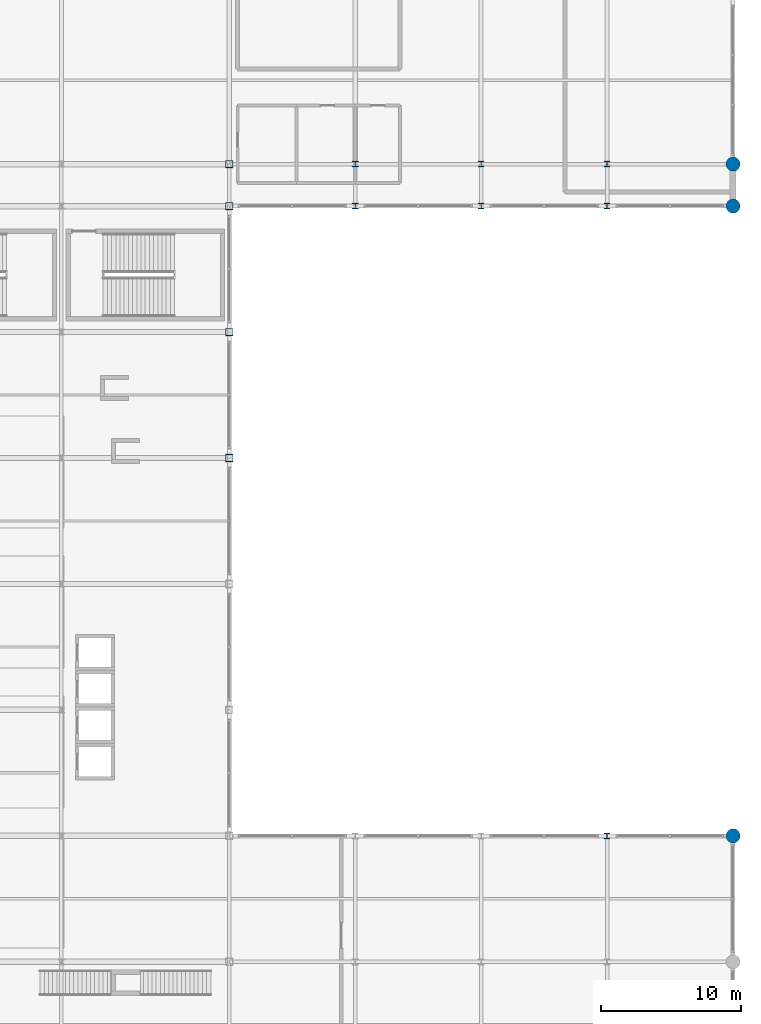
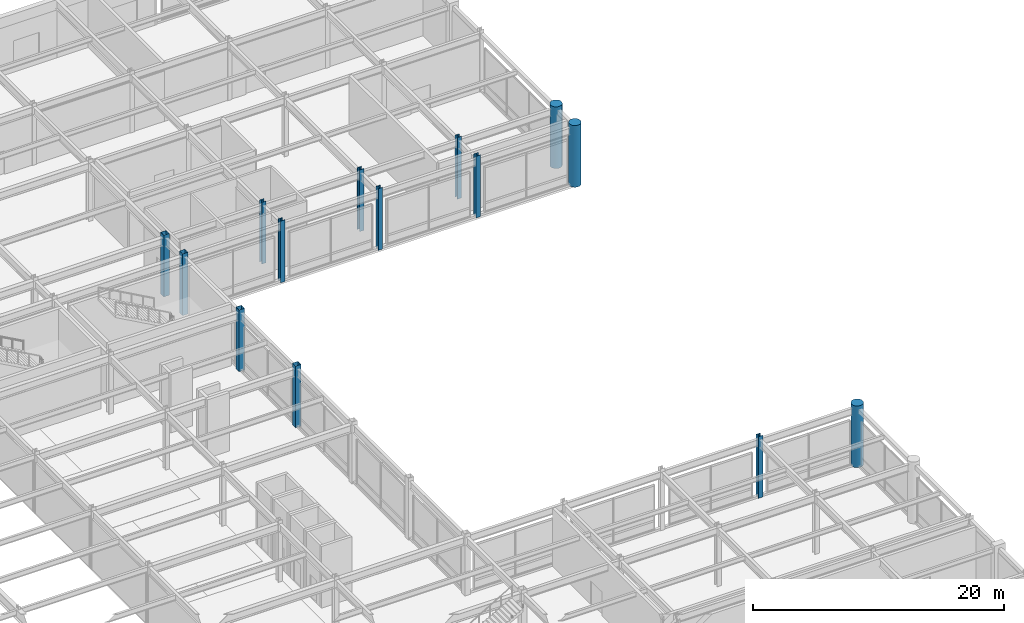
# One storey, part 12 of 105: 14 columns.
"""IFC4 building model written with IfcOpenShell, lengths in metres."""

from ifc_helpers import new_model, si_unit, direction, frame, origin, origin_2d, place, context, subcontext, project, spatial, hollow_rectangle, circle, i_section, extrude, material, material_profile, profile_set, type_object, element, save


model = new_model("IFC4")

# Units and contexts
model_context = context("Model", 3, precision=1e-05, world=origin(), true_north=direction((0.0, 1.0)))
body_context = subcontext(model_context, "Body", "Model", "MODEL_VIEW")
ifc_project = project(units=[si_unit("LENGTHUNIT", "METRE"), si_unit("AREAUNIT", "SQUARE_METRE"), si_unit("VOLUMEUNIT", "CUBIC_METRE"), si_unit("PLANEANGLEUNIT", "RADIAN"), si_unit("MASSUNIT", "GRAM", prefix="KILO")], contexts=[model_context])

# Site, building, storey
site_placement = place(None, origin())
site = spatial("IfcSite", under=ifc_project, at=site_placement, CompositionType="ELEMENT")
building_placement = place(site_placement, origin())
building = spatial("IfcBuilding", under=site, at=building_placement, Name="Kaldorvane Square Convention Centre", CompositionType="ELEMENT")
storey_placement = place(building_placement, frame((0.0, 0.0, 6.0)))
storey = spatial("IfcBuildingStorey", under=building, at=storey_placement, Name="L01", CompositionType="ELEMENT", Elevation=6.0)

# Columns
ifc_material_1 = material(Name="Steel ASTM A500 Gr. C", Category="steel")
ifc_material_profile_1 = material_profile(ifc_material_1, hollow_rectangle(XDim=0.50799560546875, YDim=0.50799560546875, WallThickness=0.014801025390625, at=origin_2d()), Name="HSS20X20X5/8")
ifc_profile_set_1 = profile_set([ifc_material_profile_1], Name="Steel ASTM A500 Gr. C")
column_type_1 = type_object("IfcColumnType", Name="COL-HSS-20", PredefinedType="COLUMN", material=ifc_profile_set_1)
for number, where, z_axis, x_axis, name in (
    (1, (138.0, 63.0, 0.0), (0.0, 0.0, 1.0), (1.0, 0.0, 0.0), "Column SC-13 (L01)"),
    (2, (138.0, 72.0, 0.0), (0.0, 0.0, 1.0), (1.0, 0.0, 0.0), "Column SC-13 (L01)"),
    (3, (138.0, 81.0, 0.0), (0.0, 0.0, 1.0), (1.0, 0.0, 0.0), "Column SC-13 (L01)"),
    (4, (138.0, 84.0, 0.0), (0.0, 0.0, 1.0), (1.0, 0.0, 0.0), "Column SC-13 (L01)"),
):
    element("IfcColumn", number, at=place(storey_placement, frame(where, z_axis=z_axis, x_axis=x_axis)), inside=storey, type_object=column_type_1, Name=name, PredefinedType="COLUMN", context=body_context, shape_type="SweptSolid", body=[
        extrude(hollow_rectangle(XDim=0.50799560546875, YDim=0.50799560546875, WallThickness=0.014801025390625, at=origin_2d()), origin(), (0.0, 0.0, 1.0), 6.0),
    ])
ifc_material_2 = material(Name="Concrete f'c = 55 MPa (Normalweight)", Category="concrete")
ifc_material_profile_2 = material_profile(ifc_material_2, circle(Radius=0.5, at=origin_2d()), Name="RC-D1000")
ifc_profile_set_2 = profile_set([ifc_material_profile_2], Name="Concrete f'c = 55 MPa (Normalweight)")
column_type_2 = type_object("IfcColumnType", Name="COL-RC-D1000", PredefinedType="COLUMN", material=ifc_profile_set_2)
for number, where, z_axis, x_axis, name in (
    (5, (174.0, 36.0, 0.0), (0.0, 0.0, 1.0), (1.0, 0.0, 0.0), "Column CC-08 (L01)"),
    (6, (174.0, 81.0, 0.0), (0.0, 0.0, 1.0), (1.0, 0.0, 0.0), "Column CC-08 (L01)"),
    (7, (174.0, 84.0, 0.0), (0.0, 0.0, 1.0), (1.0, 0.0, 0.0), "Column CC-08 (L01)"),
):
    element("IfcColumn", number, at=place(storey_placement, frame(where, z_axis=z_axis, x_axis=x_axis)), inside=storey, type_object=column_type_2, Name=name, PredefinedType="COLUMN", context=body_context, shape_type="SweptSolid", body=[
        extrude(circle(Radius=0.5, at=origin_2d()), origin(), (0.0, 0.0, 1.0), 6.0),
    ])
ifc_material_3 = material(Name="Steel ASTM A992 Gr. 50", Category="steel")
ifc_material_profile_3 = material_profile(ifc_material_3, i_section(OverallWidth=0.40130615234375, OverallDepth=0.3993072509765625, WebThickness=0.02490234375, FlangeThickness=0.0395965576171875, FilletRadius=0.0305023193359375, at=origin_2d()), Name="W14X211")
ifc_profile_set_3 = profile_set([ifc_material_profile_3], Name="Steel ASTM A992 Gr. 50")
column_type_3 = type_object("IfcColumnType", Name="COL-STL-211", PredefinedType="COLUMN", material=ifc_profile_set_3)
for number, where, z_axis, x_axis, name in (
    (8, (147.0, 81.0, 0.0), (0.0, 0.0, 1.0), (1.0, 0.0, 0.0), "Column SC-08 (L01)"),
    (9, (147.0, 84.0, 0.0), (0.0, 0.0, 1.0), (1.0, 0.0, 0.0), "Column SC-08 (L01)"),
    (10, (156.0, 81.0, 0.0), (0.0, 0.0, 1.0), (1.0, 0.0, 0.0), "Column SC-08 (L01)"),
    (11, (156.0, 84.0, 0.0), (0.0, 0.0, 1.0), (1.0, 0.0, 0.0), "Column SC-08 (L01)"),
    (12, (165.0, 36.0, 0.0), (0.0, 0.0, 1.0), (1.0, 0.0, 0.0), "Column SC-08 (L01)"),
    (13, (165.0, 81.0, 0.0), (0.0, 0.0, 1.0), (1.0, 0.0, 0.0), "Column SC-08 (L01)"),
    (14, (165.0, 84.0, 0.0), (0.0, 0.0, 1.0), (1.0, 0.0, 0.0), "Column SC-08 (L01)"),
):
    element("IfcColumn", number, at=place(storey_placement, frame(where, z_axis=z_axis, x_axis=x_axis)), inside=storey, type_object=column_type_3, Name=name, PredefinedType="COLUMN", context=body_context, shape_type="SweptSolid", body=[
        extrude(i_section(OverallWidth=0.40130615234375, OverallDepth=0.3993072509765625, WebThickness=0.02490234375, FlangeThickness=0.0395965576171875, FilletRadius=0.0305023193359375, at=origin_2d()), origin(), (0.0, 0.0, 1.0), 6.0),
    ])

save(model, "model.ifc")
